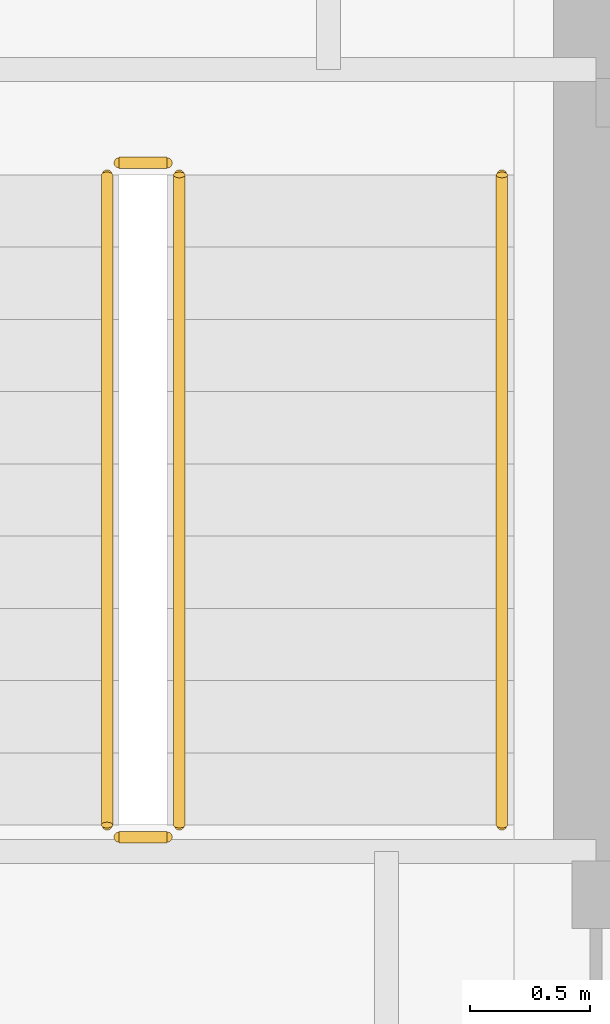
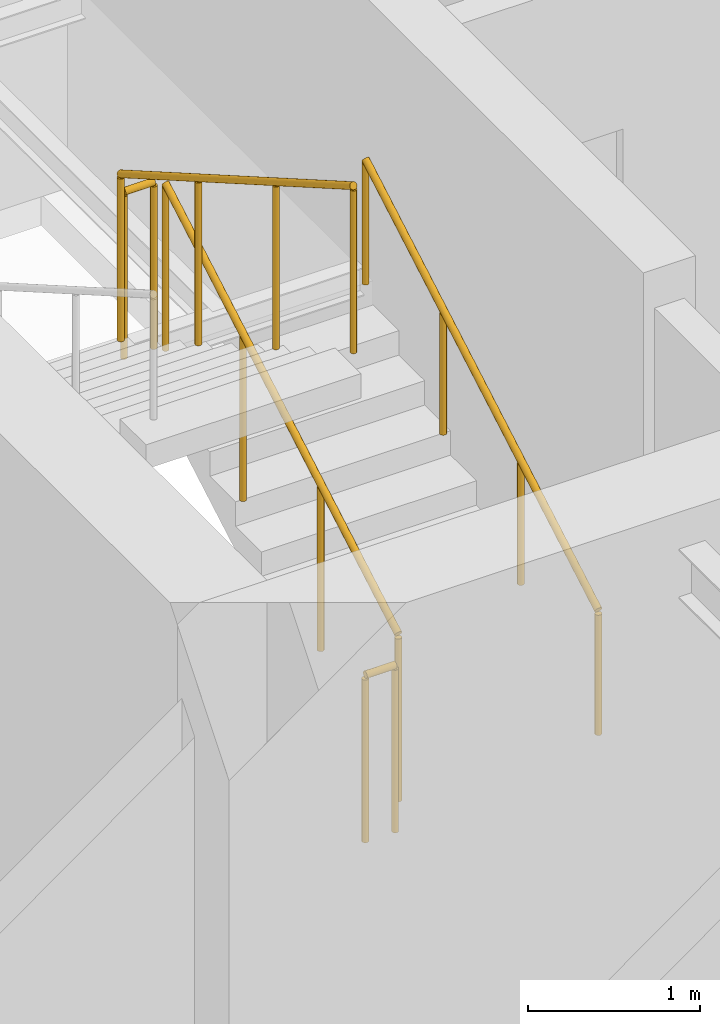
# One storey, part 15 of 17: 5 railings.
"""IFC4 building model written with IfcOpenShell, lengths in metres."""

from ifc_helpers import new_model, si_unit, direction, frame, origin, origin_2d, place, context, subcontext, project, spatial, circle, extrude, material, type_object, element, save


model = new_model("IFC4")

# Units and contexts
model_context = context("Model", 3, precision=1e-05, world=origin(), true_north=direction((0.0, 1.0)))
body_context = subcontext(model_context, "Body", "Model", "MODEL_VIEW")
ifc_project = project(units=[si_unit("LENGTHUNIT", "METRE"), si_unit("AREAUNIT", "SQUARE_METRE"), si_unit("VOLUMEUNIT", "CUBIC_METRE"), si_unit("PLANEANGLEUNIT", "RADIAN"), si_unit("MASSUNIT", "GRAM", prefix="KILO")], contexts=[model_context])

# Site, building, storey
site_placement = place(None, origin())
site = spatial("IfcSite", under=ifc_project, at=site_placement, CompositionType="ELEMENT")
building_placement = place(site_placement, origin())
building = spatial("IfcBuilding", under=site, at=building_placement, Name="Qiaolan Cultural Towers", CompositionType="ELEMENT")
storey_placement = place(building_placement, frame((0.0, 0.0, 177.10009765625)))
storey = spatial("IfcBuildingStorey", under=building, at=storey_placement, Name="L47", CompositionType="ELEMENT", Elevation=177.10009765625)

# Railings
ifc_material_1 = material(Name="Galvanized Painted Steel Stair Guardrail", Category="steel")
railing_type_1 = type_object("IfcRailingType", Name="RL-STAIR-GRD", PredefinedType="GUARDRAIL", material=ifc_material_1)
railing_1_placement = place(storey_placement, frame((23.989990234375, 48.449951171875, 0.17236328125)))
element("IfcRailing", 1, at=railing_1_placement, inside=storey, type_object=railing_type_1, Name="L47 ST-W2 stair guard 1", PredefinedType="GUARDRAIL", context=body_context, shape_type="SweptSolid", body=[
    extrude(circle(Radius=0.02392578125, at=origin_2d()), frame((0.0, 0.0, 1.17578125), z_axis=(0.0, 0.866903762492, 0.498475542607), x_axis=(-1.0, 0.0, 0.0)), (0.0, 0.0, 1.0), 3.114501953125),
    extrude(circle(Radius=0.02099609375, at=origin_2d()), origin(), (0.0, 0.0, 1.0), 1.15185546875),
    extrude(circle(Radius=0.02099609375, at=origin_2d()), frame((0.0, 0.89990234375, 0.517578125)), (0.0, 0.0, 1.0), 1.15185546875),
    extrude(circle(Radius=0.02099609375, at=origin_2d()), frame((0.0, 1.800048828125, 1.034912109375)), (0.0, 0.0, 1.0), 1.15185546875),
    extrude(circle(Radius=0.02099609375, at=origin_2d()), frame((0.0, 2.699951171875, 1.552490234375)), (0.0, 0.0, 1.0), 1.15185546875),
])
railing_2_placement = place(storey_placement, frame((23.93994140625, 51.199951171875, 1.724853515625)))
element("IfcRailing", 2, at=railing_2_placement, inside=storey, type_object=railing_type_1, Name="L47 ST-W2 stair guard 2", PredefinedType="GUARDRAIL", context=body_context, shape_type="SweptSolid", body=[
    extrude(circle(Radius=0.02392578125, at=origin_2d()), frame((0.0, 0.0, 1.17578125), z_axis=(-1.0, 0.0, 0.0), x_axis=(0.0, -1.0, 0.0)), (0.0, 0.0, 1.0), 0.199951171875),
    extrude(circle(Radius=0.02099609375, at=origin_2d()), origin(), (0.0, 0.0, 1.0), 1.15185546875),
    extrude(circle(Radius=0.02099609375, at=origin_2d()), frame((-0.199951171875, 0.0, 0.0)), (0.0, 0.0, 1.0), 1.15185546875),
])
railing_3_placement = place(storey_placement, frame((23.68994140625, 51.14990234375, 1.8974609375)))
element("IfcRailing", 3, at=railing_3_placement, inside=storey, type_object=railing_type_1, Name="L47 ST-W2 stair guard 3", PredefinedType="GUARDRAIL", context=body_context, shape_type="SweptSolid", body=[
    extrude(circle(Radius=0.02392578125, at=origin_2d()), frame((0.0, 0.0, 1.17578125), z_axis=(0.0, -0.866903762492, 0.498475542607), x_axis=(1.0, 0.0, 0.0)), (0.0, 0.0, 1.0), 3.114501953125),
    extrude(circle(Radius=0.02099609375, at=origin_2d()), origin(), (0.0, 0.0, 1.0), 1.15185546875),
    extrude(circle(Radius=0.02099609375, at=origin_2d()), frame((0.0, -0.89990234375, 0.517578125)), (0.0, 0.0, 1.0), 1.15185546875),
    extrude(circle(Radius=0.02099609375, at=origin_2d()), frame((0.0, -1.800048828125, 1.034912109375)), (0.0, 0.0, 1.0), 1.15185546875),
    extrude(circle(Radius=0.02099609375, at=origin_2d()), frame((0.0, -2.699951171875, 1.552490234375)), (0.0, 0.0, 1.0), 1.15185546875),
])
railing_4_placement = place(storey_placement, frame((23.93994140625, 48.39990234375, 0.0)))
element("IfcRailing", 4, at=railing_4_placement, inside=storey, type_object=railing_type_1, Name="L47 ST-W2 stair guard 4", PredefinedType="GUARDRAIL", context=body_context, shape_type="SweptSolid", body=[
    extrude(circle(Radius=0.02392578125, at=origin_2d()), frame((0.0, 0.0, 1.17578125), z_axis=(-1.0, 0.0, 0.0), x_axis=(0.0, -1.0, 0.0)), (0.0, 0.0, 1.0), 0.199951171875),
    extrude(circle(Radius=0.02099609375, at=origin_2d()), origin(), (0.0, 0.0, 1.0), 1.15185546875),
    extrude(circle(Radius=0.02099609375, at=origin_2d()), frame((-0.199951171875, 0.0, 0.0)), (0.0, 0.0, 1.0), 1.15185546875),
])
ifc_material_2 = material(Name="Stainless Steel S30408 Tubular Handrail", Category="steel")
railing_type_2 = type_object("IfcRailingType", Name="RL-STAIR-HR", PredefinedType="HANDRAIL", material=ifc_material_2)
railing_5_placement = place(storey_placement, frame((25.330078125, 48.449951171875, 0.17236328125)))
element("IfcRailing", 5, at=railing_5_placement, inside=storey, type_object=railing_type_2, Name="L47 ST-W2 stair handrail 1", PredefinedType="HANDRAIL", context=body_context, shape_type="SweptSolid", body=[
    extrude(circle(Radius=0.02392578125, at=origin_2d()), frame((0.0, 0.0, 0.8759765625), z_axis=(0.0, 0.866903762492, 0.498475542607), x_axis=(-1.0, 0.0, 0.0)), (0.0, 0.0, 1.0), 3.114501953125),
    extrude(circle(Radius=0.02099609375, at=origin_2d()), origin(), (0.0, 0.0, 1.0), 0.851806640625),
    extrude(circle(Radius=0.02099609375, at=origin_2d()), frame((0.0, 0.89990234375, 0.517578125)), (0.0, 0.0, 1.0), 0.851806640625),
    extrude(circle(Radius=0.02099609375, at=origin_2d()), frame((0.0, 1.800048828125, 1.034912109375)), (0.0, 0.0, 1.0), 0.851806640625),
    extrude(circle(Radius=0.02099609375, at=origin_2d()), frame((0.0, 2.699951171875, 1.552490234375)), (0.0, 0.0, 1.0), 0.851806640625),
])

save(model, "model.ifc")
